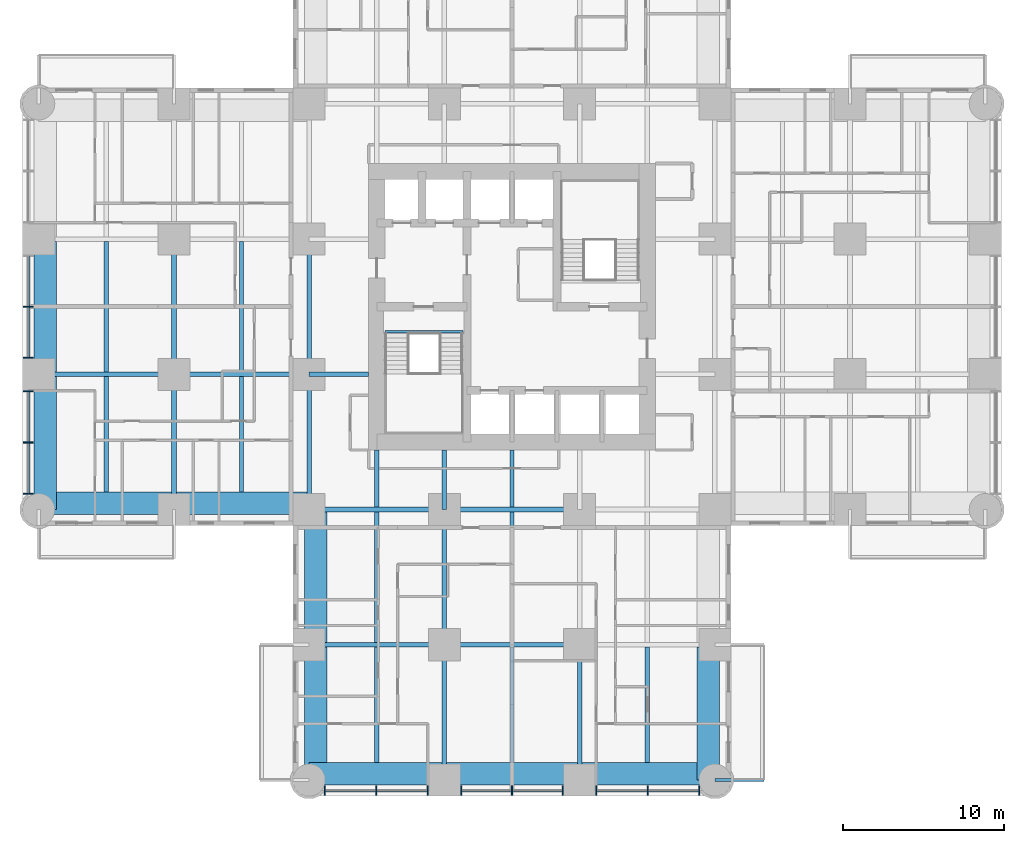
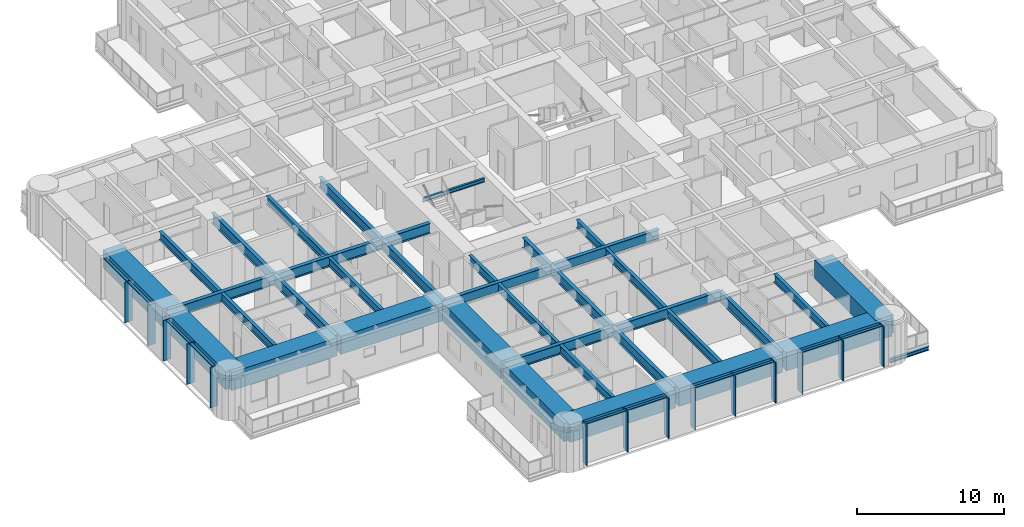
# One storey, part 2 of 17: 38 beams, 24 members, 2 elements without a shape of their own.
"""IFC4 building model written with IfcOpenShell, lengths in metres."""

import ifcopenshell
import ifcopenshell.guid

model = None  # the IFC model being written
_history = None  # IfcOwnerHistory: only IFC2X3 demands one
_inside = {}  # id of a spatial element -> (the spatial element, [elements in it])
_under = {}  # id of a project, library or spatial element -> (it, [spatial elements below it])
_declared = {}  # id of a project -> (the project, [libraries it declares])
_typed = {}  # id of a type object -> (the type object, [elements of that type])
_made_of = {}  # id of a material, layer set ... -> (it, [elements and type objects made of it])


def new_model(schema):
    """Start an empty IFC model of exactly this schema.

    Asked for "IFC4X3", IfcOpenShell would pick the latest addendum, in which some entities
    have other attributes; the version numbers below select the first issue.
    IFC2X3 requires an IfcOwnerHistory on every rooted entity: one is made here for all.
    """
    global model, _history
    if schema == "IFC4X3":
        model = ifcopenshell.file(schema_version=(4, 3, 0, 0))
    else:
        model = ifcopenshell.file(schema=schema)
    _inside.clear()
    _under.clear()
    _declared.clear()
    _typed.clear()
    _made_of.clear()
    _history = None
    if model.schema == "IFC2X3":
        org = make("IfcOrganization", Name="unknown")
        user = make(
            "IfcPersonAndOrganization",
            ThePerson=make("IfcPerson", FamilyName="unknown"),
            TheOrganization=org,
        )
        app = make(
            "IfcApplication",
            ApplicationDeveloper=org,
            Version="unknown",
            ApplicationFullName="unknown",
            ApplicationIdentifier="unknown",
        )
        _history = make(
            "IfcOwnerHistory",
            OwningUser=user,
            OwningApplication=app,
            ChangeAction="ADDED",
            CreationDate=0,
        )
    return model


def make(cls, **values):
    """One entity of the class cls with the attributes given. An attribute that is None is left unset."""
    return model.create_entity(
        cls, **{name: value for name, value in values.items() if value is not None}
    )


def rooted(cls, **values):
    """An entity with a GlobalId (a new one), such as an element, a storey or a relation."""
    return make(cls, GlobalId=ifcopenshell.guid.new(), OwnerHistory=_history, **values)


def si_unit(unit_type, name, prefix=None):
    """IfcSIUnit, for example si_unit("LENGTHUNIT", "METRE", prefix="MILLI")."""
    return make("IfcSIUnit", UnitType=unit_type, Prefix=prefix, Name=name)


def assignment(units):
    """IfcUnitAssignment: the units of a project."""
    return None if units is None else make("IfcUnitAssignment", Units=units)


def point(xyz):
    """IfcCartesianPoint."""
    return None if xyz is None else make("IfcCartesianPoint", Coordinates=xyz)


def direction(xyz):
    """IfcDirection."""
    return None if xyz is None else make("IfcDirection", DirectionRatios=xyz)


def frame(location, z_axis=None, x_axis=None):
    """IfcAxis2Placement3D, a coordinate frame: its origin and axes. An axis left out is left unset."""
    return make(
        "IfcAxis2Placement3D",
        Location=point(location),
        Axis=direction(z_axis),
        RefDirection=direction(x_axis),
    )


def frame_2d(location, x_axis=None):
    """IfcAxis2Placement2D, a coordinate frame in the plane: its origin and x axis."""
    return make(
        "IfcAxis2Placement2D", Location=point(location), RefDirection=direction(x_axis)
    )


def origin():
    """The frame at (0, 0, 0) with its axes left unset."""
    return frame((0.0, 0.0, 0.0))


def origin_2d():
    """The frame at (0, 0) in the plane with its x axis left unset."""
    return frame_2d((0.0, 0.0))


def place(relative_to, where):
    """IfcLocalPlacement: puts the frame where relative to a parent placement (None: the world)."""
    return make(
        "IfcLocalPlacement", PlacementRelTo=relative_to, RelativePlacement=where
    )


def context(
    kind, dimensions, precision=None, world=None, true_north=None, identifier=None
):
    """IfcGeometricRepresentationContext, for example the 3D "Model" context."""
    return make(
        "IfcGeometricRepresentationContext",
        ContextIdentifier=identifier,
        ContextType=kind,
        CoordinateSpaceDimension=dimensions,
        Precision=precision,
        WorldCoordinateSystem=world,
        TrueNorth=true_north,
    )


def subcontext(parent, identifier, kind, view, scale=None):
    """IfcGeometricRepresentationSubContext, for example "Body" below "Model"."""
    return make(
        "IfcGeometricRepresentationSubContext",
        ContextIdentifier=identifier,
        ContextType=kind,
        ParentContext=parent,
        TargetScale=scale,
        TargetView=view,
    )


def project(units=None, contexts=None):
    """IfcProject with its units and contexts."""
    return rooted(
        "IfcProject",
        Name="project",
        RepresentationContexts=contexts,
        UnitsInContext=assignment(units),
    )


def spatial(cls, under=None, at=None, **own):
    """A site, building, storey or space (cls), placed at a placement, below another one or the project."""
    s = rooted(cls, ObjectPlacement=at, **own)
    if under is not None:
        _under.setdefault(under.id(), (under, []))[1].append(s)
    return s


def profile(cls, at=None, kind="AREA", **sizes):
    """A parametric profile (cls). Its sizes go by their IFC names, for example OverallWidth=200.0."""
    return make(cls, ProfileType=kind, Position=at, **sizes)


def rectangle(**sizes):
    """IfcRectangleProfileDef."""
    return profile("IfcRectangleProfileDef", **sizes)


def i_section(**sizes):
    """IfcIShapeProfileDef."""
    return profile("IfcIShapeProfileDef", **sizes)


def extrude(swept, where, along, depth):
    """IfcExtrudedAreaSolid: the profile swept, set in the frame where, extruded along a direction by depth."""
    return make(
        "IfcExtrudedAreaSolid",
        SweptArea=swept,
        Position=where,
        ExtrudedDirection=direction(along),
        Depth=depth,
    )


def shape(context_of_items, identifier, shape_type, items):
    """IfcShapeRepresentation: the items that make up one representation, for example the "Body"."""
    return make(
        "IfcShapeRepresentation",
        ContextOfItems=context_of_items,
        RepresentationIdentifier=identifier,
        RepresentationType=shape_type,
        Items=items,
    )


def material(Name=None, Category=None):
    """IfcMaterial."""
    return make("IfcMaterial", Name=Name, Category=Category)


def material_profile(
    of_material, cross_section, Name=None, Category=None, Priority=None
):
    """IfcMaterialProfile: a cross section and its material."""
    return make(
        "IfcMaterialProfile",
        Name=Name,
        Material=of_material,
        Profile=cross_section,
        Priority=Priority,
        Category=Category,
    )


def profile_set(profiles, Name=None, composite=None):
    """IfcMaterialProfileSet."""
    return make(
        "IfcMaterialProfileSet",
        Name=Name,
        MaterialProfiles=profiles,
        CompositeProfile=composite,
    )


def made_of(thing, what):
    """Note that an element or type object is made of a material, layer set ...; save() writes the relation."""
    if what is not None:
        _made_of.setdefault(what.id(), (what, []))[1].append(thing)
    return thing


def type_object(cls, material=None, **own):
    """A type object (cls), such as IfcWallType, which elements share."""
    return made_of(rooted(cls, **own), material)


def element(
    cls,
    number,
    at=None,
    inside=None,
    cuts=None,
    type_object=None,
    material=None,
    context=None,
    identifier="Body",
    shape_type=None,
    held_by="IfcProductDefinitionShape",
    body=None,
    shapes=None,
    **own,
):
    """One element of the class cls, such as IfcWall. Its Tag is "e" and its number.

    at: its placement. inside: the storey or other place that contains it. cuts: it is an
    opening in that element (IfcRelVoidsElement). A single representation is given by context,
    identifier, shape_type and body (its items); several are given by shapes. held_by: the class
    of the entity that holds the representations. save() writes the other relations.
    """
    e = rooted(cls, Tag="e%d" % number, ObjectPlacement=at, **own)
    if body is not None:
        shapes = [shape(context, identifier, shape_type, body)]
    if shapes is not None:
        e.Representation = make(held_by, Representations=shapes)
    if inside is not None:
        _inside.setdefault(inside.id(), (inside, []))[1].append(e)
    if cuts is not None:
        rooted(
            "IfcRelVoidsElement", RelatingBuildingElement=cuts, RelatedOpeningElement=e
        )
    if type_object is not None:
        _typed.setdefault(type_object.id(), (type_object, []))[1].append(e)
    return made_of(e, material)


def aggregate(whole, parts):
    """IfcRelAggregates: a whole, such as a stair, and the parts it consists of."""
    return rooted("IfcRelAggregates", RelatingObject=whole, RelatedObjects=parts)


def save(model, path):
    """Write the relations noted so far, then the file.

    IfcRelAggregates (storeys below a building ...), IfcRelContainedInSpatialStructure (elements
    in a storey), IfcRelDefinesByType, IfcRelAssociatesMaterial and IfcRelDeclares: one each for
    every whole, place, type object, material and project.
    """
    for whole, parts in _under.values():
        aggregate(whole, parts)
    for where, things in _inside.values():
        rooted(
            "IfcRelContainedInSpatialStructure",
            RelatedElements=things,
            RelatingStructure=where,
        )
    for kind, things in _typed.values():
        rooted("IfcRelDefinesByType", RelatedObjects=things, RelatingType=kind)
    for what, things in _made_of.values():
        rooted("IfcRelAssociatesMaterial", RelatedObjects=things, RelatingMaterial=what)
    for by, libraries in _declared.values():
        rooted("IfcRelDeclares", RelatingContext=by, RelatedDefinitions=libraries)
    model.write(path)


model = new_model("IFC4")

# Units and contexts
model_context = context("Model", 3, precision=1e-05, world=origin(), true_north=direction((0.0, 1.0)))
body_context = subcontext(model_context, "Body", "Model", "MODEL_VIEW")
ifc_project = project(units=[si_unit("LENGTHUNIT", "METRE"), si_unit("AREAUNIT", "SQUARE_METRE"), si_unit("VOLUMEUNIT", "CUBIC_METRE"), si_unit("PLANEANGLEUNIT", "RADIAN"), si_unit("MASSUNIT", "GRAM", prefix="KILO")], contexts=[model_context])

# Site, building, storey
site_placement = place(None, origin())
site = spatial("IfcSite", under=ifc_project, at=site_placement, CompositionType="ELEMENT")
building_placement = place(site_placement, origin())
building = spatial("IfcBuilding", under=site, at=building_placement, Name="Torre Alcanfor", CompositionType="ELEMENT")
storey_placement = place(building_placement, frame((0.0, 0.0, 99.300048828125)))
storey = spatial("IfcBuildingStorey", under=building, at=storey_placement, Name="L25", CompositionType="ELEMENT", Elevation=99.300048828125)

# Beam
ifc_material_1 = material(Name="Steel ASTM A992 Grade 50", Category="steel")
ifc_material_profile_1 = material_profile(ifc_material_1, i_section(OverallWidth=0.205322265625, OverallDepth=0.309814453125, WebThickness=0.00927734375, FlangeThickness=0.016357421875, at=origin_2d()), Name="W12x50")
ifc_profile_set_1 = profile_set([ifc_material_profile_1], Name="Steel ASTM A992 Grade 50")
beam_type_1 = type_object("IfcBeamType", Name="Balcony cantilever beam W12x50", PredefinedType="BEAM", material=ifc_profile_set_1)
beam_1_placement = place(storey_placement, frame((42.0, 0.0, -0.35498046875), z_axis=(1.0, 0.0, 0.0), x_axis=(0.0, 1.0, 0.0)))
element("IfcBeam", 1, at=beam_1_placement, inside=storey, type_object=beam_type_1, Name="Balcony cantilever beam L25-S1 2", PredefinedType="BEAM", context=body_context, shape_type="SweptSolid", body=[
    extrude(i_section(OverallWidth=0.205322265625, OverallDepth=0.309814453125, WebThickness=0.00927734375, FlangeThickness=0.016357421875, at=origin_2d()), origin(), (0.0, 0.0, 1.0), 3.050048828125),
])

# Curtain wall, members
ifc_material_2 = material(Name="Aluminium and glass", Category="aluminium")
curtain_wall_type = type_object("IfcCurtainWallType", Name="CW-A unitised apartment glazing with vertical FIN", PredefinedType="NOTDEFINED", material=ifc_material_2)
curtain_wall_1_placement = place(storey_placement, origin())
curtain_wall_1 = element("IfcCurtainWall", 2, at=curtain_wall_1_placement, inside=storey, type_object=curtain_wall_type, Name="Curtain wall CW-A L25 2", PredefinedType="NOTDEFINED")
ifc_material_3 = material(Name="Bronze anodised aluminium", Category="aluminium")
ifc_material_profile_2 = material_profile(ifc_material_3, rectangle(XDim=0.60009765625, YDim=0.06494140625, at=origin_2d()), Name="CW-A mullion 65x600")
ifc_profile_set_2 = profile_set([ifc_material_profile_2], Name="Bronze anodised aluminium")
member_type_1 = type_object("IfcMemberType", Name="CW-A mullion with vertical FIN 65x600", PredefinedType="MULLION", material=ifc_profile_set_2)
member_1_placement = place(storey_placement, frame((-0.64990234375, 29.39990234375, 0.0), z_axis=(0.0, 0.0, 1.0), x_axis=(1.0, 0.0, 0.0)))
member_1 = element("IfcMember", 3, at=member_1_placement, type_object=member_type_1, Name="CW-A mullion 2.2", PredefinedType="MULLION", context=body_context, shape_type="SweptSolid", body=[
    extrude(rectangle(XDim=0.60009765625, YDim=0.06494140625, at=origin_2d()), origin(), (0.0, 0.0, 1.0), 3.349853515625),
])
member_2_placement = place(storey_placement, frame((-0.64990234375, 26.237548828125, 0.0), z_axis=(0.0, 0.0, 1.0), x_axis=(1.0, 0.0, 0.0)))
member_2 = element("IfcMember", 4, at=member_2_placement, type_object=member_type_1, Name="CW-A mullion 2.3", PredefinedType="MULLION", context=body_context, shape_type="SweptSolid", body=[
    extrude(rectangle(XDim=0.60009765625, YDim=0.06494140625, at=origin_2d()), origin(), (0.0, 0.0, 1.0), 3.349853515625),
])
member_3_placement = place(storey_placement, frame((-0.64990234375, 24.16259765625, 0.0), z_axis=(0.0, 0.0, 1.0), x_axis=(1.0, 0.0, 0.0)))
member_3 = element("IfcMember", 5, at=member_3_placement, type_object=member_type_1, Name="CW-A mullion 3.1", PredefinedType="MULLION", context=body_context, shape_type="SweptSolid", body=[
    extrude(rectangle(XDim=0.60009765625, YDim=0.06494140625, at=origin_2d()), origin(), (0.0, 0.0, 1.0), 3.349853515625),
])
member_4_placement = place(storey_placement, frame((-0.64990234375, 20.968505859375, 0.0), z_axis=(0.0, 0.0, 1.0), x_axis=(1.0, 0.0, 0.0)))
member_4 = element("IfcMember", 6, at=member_4_placement, type_object=member_type_1, Name="CW-A mullion 3.2", PredefinedType="MULLION", context=body_context, shape_type="SweptSolid", body=[
    extrude(rectangle(XDim=0.60009765625, YDim=0.06494140625, at=origin_2d()), origin(), (0.0, 0.0, 1.0), 3.349853515625),
])
member_5_placement = place(storey_placement, frame((-0.64990234375, 17.7744140625, 0.0), z_axis=(0.0, 0.0, 1.0), x_axis=(1.0, 0.0, 0.0)))
member_5 = element("IfcMember", 7, at=member_5_placement, type_object=member_type_1, Name="CW-A mullion 3.3", PredefinedType="MULLION", context=body_context, shape_type="SweptSolid", body=[
    extrude(rectangle(XDim=0.60009765625, YDim=0.06494140625, at=origin_2d()), origin(), (0.0, 0.0, 1.0), 3.349853515625),
])

curtain_wall_2_placement = place(storey_placement, origin())
curtain_wall_2 = element("IfcCurtainWall", 8, at=curtain_wall_2_placement, inside=storey, type_object=curtain_wall_type, Name="Curtain wall CW-A L25 5", PredefinedType="NOTDEFINED")
member_6_placement = place(storey_placement, frame((17.7744140625, -0.64990234375, 0.0), z_axis=(0.0, 0.0, 1.0), x_axis=(0.0, 1.0, 0.0)))
member_6 = element("IfcMember", 9, at=member_6_placement, type_object=member_type_1, Name="CW-A mullion 1.1", PredefinedType="MULLION", context=body_context, shape_type="SweptSolid", body=[
    extrude(rectangle(XDim=0.60009765625, YDim=0.06494140625, at=origin_2d()), origin(), (0.0, 0.0, 1.0), 3.349853515625),
])
member_7_placement = place(storey_placement, frame((20.968505859375, -0.64990234375, 0.0), z_axis=(0.0, 0.0, 1.0), x_axis=(0.0, 1.0, 0.0)))
member_7 = element("IfcMember", 10, at=member_7_placement, type_object=member_type_1, Name="CW-A mullion 1.2", PredefinedType="MULLION", context=body_context, shape_type="SweptSolid", body=[
    extrude(rectangle(XDim=0.60009765625, YDim=0.06494140625, at=origin_2d()), origin(), (0.0, 0.0, 1.0), 3.349853515625),
])
member_8_placement = place(storey_placement, frame((24.16259765625, -0.64990234375, 0.0), z_axis=(0.0, 0.0, 1.0), x_axis=(0.0, 1.0, 0.0)))
member_8 = element("IfcMember", 11, at=member_8_placement, type_object=member_type_1, Name="CW-A mullion 1.3", PredefinedType="MULLION", context=body_context, shape_type="SweptSolid", body=[
    extrude(rectangle(XDim=0.60009765625, YDim=0.06494140625, at=origin_2d()), origin(), (0.0, 0.0, 1.0), 3.349853515625),
])
member_9_placement = place(storey_placement, frame((26.237548828125, -0.64990234375, 0.0), z_axis=(0.0, 0.0, 1.0), x_axis=(0.0, 1.0, 0.0)))
member_9 = element("IfcMember", 12, at=member_9_placement, type_object=member_type_1, Name="CW-A mullion 2.1", PredefinedType="MULLION", context=body_context, shape_type="SweptSolid", body=[
    extrude(rectangle(XDim=0.60009765625, YDim=0.06494140625, at=origin_2d()), origin(), (0.0, 0.0, 1.0), 3.349853515625),
])
member_10_placement = place(storey_placement, frame((29.39990234375, -0.64990234375, 0.0), z_axis=(0.0, 0.0, 1.0), x_axis=(0.0, 1.0, 0.0)))
member_10 = element("IfcMember", 13, at=member_10_placement, type_object=member_type_1, Name="CW-A mullion 2.2", PredefinedType="MULLION", context=body_context, shape_type="SweptSolid", body=[
    extrude(rectangle(XDim=0.60009765625, YDim=0.06494140625, at=origin_2d()), origin(), (0.0, 0.0, 1.0), 3.349853515625),
])
member_11_placement = place(storey_placement, frame((32.5625, -0.64990234375, 0.0), z_axis=(0.0, 0.0, 1.0), x_axis=(0.0, 1.0, 0.0)))
member_11 = element("IfcMember", 14, at=member_11_placement, type_object=member_type_1, Name="CW-A mullion 2.3", PredefinedType="MULLION", context=body_context, shape_type="SweptSolid", body=[
    extrude(rectangle(XDim=0.60009765625, YDim=0.06494140625, at=origin_2d()), origin(), (0.0, 0.0, 1.0), 3.349853515625),
])
member_12_placement = place(storey_placement, frame((34.637451171875, -0.64990234375, 0.0), z_axis=(0.0, 0.0, 1.0), x_axis=(0.0, 1.0, 0.0)))
member_12 = element("IfcMember", 15, at=member_12_placement, type_object=member_type_1, Name="CW-A mullion 3.1", PredefinedType="MULLION", context=body_context, shape_type="SweptSolid", body=[
    extrude(rectangle(XDim=0.60009765625, YDim=0.06494140625, at=origin_2d()), origin(), (0.0, 0.0, 1.0), 3.349853515625),
])
member_13_placement = place(storey_placement, frame((37.83154296875, -0.64990234375, 0.0), z_axis=(0.0, 0.0, 1.0), x_axis=(0.0, 1.0, 0.0)))
member_13 = element("IfcMember", 16, at=member_13_placement, type_object=member_type_1, Name="CW-A mullion 3.2", PredefinedType="MULLION", context=body_context, shape_type="SweptSolid", body=[
    extrude(rectangle(XDim=0.60009765625, YDim=0.06494140625, at=origin_2d()), origin(), (0.0, 0.0, 1.0), 3.349853515625),
])
member_14_placement = place(storey_placement, frame((41.025390625, -0.64990234375, 0.0), z_axis=(0.0, 0.0, 1.0), x_axis=(0.0, 1.0, 0.0)))
member_14 = element("IfcMember", 17, at=member_14_placement, type_object=member_type_1, Name="CW-A mullion 3.3", PredefinedType="MULLION", context=body_context, shape_type="SweptSolid", body=[
    extrude(rectangle(XDim=0.60009765625, YDim=0.06494140625, at=origin_2d()), origin(), (0.0, 0.0, 1.0), 3.349853515625),
])

# Member
ifc_material_4 = material(Name="Extruded aluminium", Category="aluminium")
ifc_material_profile_3 = material_profile(ifc_material_4, rectangle(XDim=0.199951171875, YDim=0.06494140625, at=origin_2d()), Name="CW-A transom 200x65")
ifc_profile_set_3 = profile_set([ifc_material_profile_3], Name="Extruded aluminium")
member_type_2 = type_object("IfcMemberType", Name="CW-A transom 65x200", PredefinedType="USERDEFINED", material=ifc_profile_set_3)
member_15_placement = place(storey_placement, frame((-0.64990234375, 32.530029296875, 3.3173828125), z_axis=(0.0, -1.0, 0.0), x_axis=(1.0, 0.0, 0.0)))
member_15 = element("IfcMember", 18, at=member_15_placement, type_object=member_type_2, Name="CW-A transom 2.1.2", ObjectType="TRANSOM", PredefinedType="USERDEFINED", context=body_context, shape_type="SweptSolid", body=[
    extrude(rectangle(XDim=0.199951171875, YDim=0.06494140625, at=origin_2d()), origin(), (0.0, 0.0, 1.0), 3.097412109375),
])

member_16_placement = place(storey_placement, frame((-0.64990234375, 29.367431640625, 3.3173828125), z_axis=(0.0, -1.0, 0.0), x_axis=(1.0, 0.0, 0.0)))
member_16 = element("IfcMember", 19, at=member_16_placement, type_object=member_type_2, Name="CW-A transom 2.2.2", ObjectType="TRANSOM", PredefinedType="USERDEFINED", context=body_context, shape_type="SweptSolid", body=[
    extrude(rectangle(XDim=0.199951171875, YDim=0.06494140625, at=origin_2d()), origin(), (0.0, 0.0, 1.0), 3.097412109375),
])

member_17_placement = place(storey_placement, frame((-0.64990234375, 24.1298828125, 3.3173828125), z_axis=(0.0, -1.0, 0.0), x_axis=(1.0, 0.0, 0.0)))
member_17 = element("IfcMember", 20, at=member_17_placement, type_object=member_type_2, Name="CW-A transom 3.1.2", ObjectType="TRANSOM", PredefinedType="USERDEFINED", context=body_context, shape_type="SweptSolid", body=[
    extrude(rectangle(XDim=0.199951171875, YDim=0.06494140625, at=origin_2d()), origin(), (0.0, 0.0, 1.0), 3.12890625),
])

member_18_placement = place(storey_placement, frame((-0.64990234375, 20.93603515625, 3.3173828125), z_axis=(0.0, -1.0, 0.0), x_axis=(1.0, 0.0, 0.0)))
member_18 = element("IfcMember", 21, at=member_18_placement, type_object=member_type_2, Name="CW-A transom 3.2.2", ObjectType="TRANSOM", PredefinedType="USERDEFINED", context=body_context, shape_type="SweptSolid", body=[
    extrude(rectangle(XDim=0.199951171875, YDim=0.06494140625, at=origin_2d()), origin(), (0.0, 0.0, 1.0), 3.129150390625),
])

aggregate(curtain_wall_1, [member_1, member_2, member_15, member_16, member_3, member_4, member_5, member_17, member_18])

member_19_placement = place(storey_placement, frame((17.806884765625, -0.64990234375, 3.3173828125), z_axis=(1.0, 0.0, 0.0), x_axis=(0.0, 1.0, 0.0)))
member_19 = element("IfcMember", 22, at=member_19_placement, type_object=member_type_2, Name="CW-A transom 1.1.2", ObjectType="TRANSOM", PredefinedType="USERDEFINED", context=body_context, shape_type="SweptSolid", body=[
    extrude(rectangle(XDim=0.199951171875, YDim=0.06494140625, at=origin_2d()), origin(), (0.0, 0.0, 1.0), 3.129150390625),
])

member_20_placement = place(storey_placement, frame((21.0009765625, -0.64990234375, 3.3173828125), z_axis=(1.0, 0.0, 0.0), x_axis=(0.0, 1.0, 0.0)))
member_20 = element("IfcMember", 23, at=member_20_placement, type_object=member_type_2, Name="CW-A transom 1.2.2", ObjectType="TRANSOM", PredefinedType="USERDEFINED", context=body_context, shape_type="SweptSolid", body=[
    extrude(rectangle(XDim=0.199951171875, YDim=0.06494140625, at=origin_2d()), origin(), (0.0, 0.0, 1.0), 3.12890625),
])

member_21_placement = place(storey_placement, frame((26.27001953125, -0.64990234375, 3.3173828125), z_axis=(1.0, 0.0, 0.0), x_axis=(0.0, 1.0, 0.0)))
member_21 = element("IfcMember", 24, at=member_21_placement, type_object=member_type_2, Name="CW-A transom 2.1.2", ObjectType="TRANSOM", PredefinedType="USERDEFINED", context=body_context, shape_type="SweptSolid", body=[
    extrude(rectangle(XDim=0.199951171875, YDim=0.06494140625, at=origin_2d()), origin(), (0.0, 0.0, 1.0), 3.097412109375),
])

member_22_placement = place(storey_placement, frame((29.4326171875, -0.64990234375, 3.3173828125), z_axis=(1.0, 0.0, 0.0), x_axis=(0.0, 1.0, 0.0)))
member_22 = element("IfcMember", 25, at=member_22_placement, type_object=member_type_2, Name="CW-A transom 2.2.2", ObjectType="TRANSOM", PredefinedType="USERDEFINED", context=body_context, shape_type="SweptSolid", body=[
    extrude(rectangle(XDim=0.199951171875, YDim=0.06494140625, at=origin_2d()), origin(), (0.0, 0.0, 1.0), 3.097412109375),
])

member_23_placement = place(storey_placement, frame((34.669921875, -0.64990234375, 3.3173828125), z_axis=(1.0, 0.0, 0.0), x_axis=(0.0, 1.0, 0.0)))
member_23 = element("IfcMember", 26, at=member_23_placement, type_object=member_type_2, Name="CW-A transom 3.1.2", ObjectType="TRANSOM", PredefinedType="USERDEFINED", context=body_context, shape_type="SweptSolid", body=[
    extrude(rectangle(XDim=0.199951171875, YDim=0.06494140625, at=origin_2d()), origin(), (0.0, 0.0, 1.0), 3.129150390625),
])

member_24_placement = place(storey_placement, frame((37.864013671875, -0.64990234375, 3.3173828125), z_axis=(1.0, 0.0, 0.0), x_axis=(0.0, 1.0, 0.0)))
member_24 = element("IfcMember", 27, at=member_24_placement, type_object=member_type_2, Name="CW-A transom 3.2.2", ObjectType="TRANSOM", PredefinedType="USERDEFINED", context=body_context, shape_type="SweptSolid", body=[
    extrude(rectangle(XDim=0.199951171875, YDim=0.06494140625, at=origin_2d()), origin(), (0.0, 0.0, 1.0), 3.12890625),
])

aggregate(curtain_wall_2, [member_6, member_7, member_8, member_19, member_20, member_9, member_10, member_11, member_21, member_22, member_12, member_13, member_14, member_23, member_24])

# Beams
ifc_material_5 = material(Name="Steel ASTM A992 Grade 50", Category="steel")
ifc_material_profile_4 = material_profile(ifc_material_5, i_section(OverallWidth=0.2919921875, OverallDepth=0.8408203125, WebThickness=0.0146484375, FlangeThickness=0.021728515625, at=origin_2d()), Name="W33x130")
ifc_profile_set_4 = profile_set([ifc_material_profile_4], Name="Steel ASTM A992 Grade 50")
beam_type_2 = type_object("IfcBeamType", Name="Girder W33x130", PredefinedType="BEAM", material=ifc_profile_set_4)
beam_2_placement = place(storey_placement, frame((16.800048828125, 8.39990234375, 2.9296875), z_axis=(1.0, 0.0, 0.0), x_axis=(0.0, 1.0, 0.0)))
element("IfcBeam", 28, at=beam_2_placement, inside=storey, type_object=beam_type_2, Name="Beam 3D-4D under L26", PredefinedType="BEAM", context=body_context, shape_type="SweptSolid", body=[
    extrude(i_section(OverallWidth=0.2919921875, OverallDepth=0.8408203125, WebThickness=0.0146484375, FlangeThickness=0.021728515625, at=origin_2d()), origin(), (0.0, 0.0, 1.0), 8.39990234375),
])
beam_3_placement = place(storey_placement, frame((25.199951171875, 8.39990234375, 2.9296875), z_axis=(1.0, 0.0, 0.0), x_axis=(0.0, 1.0, 0.0)))
element("IfcBeam", 29, at=beam_3_placement, inside=storey, type_object=beam_type_2, Name="Beam 4D-5D under L26", PredefinedType="BEAM", context=body_context, shape_type="SweptSolid", body=[
    extrude(i_section(OverallWidth=0.2919921875, OverallDepth=0.8408203125, WebThickness=0.0146484375, FlangeThickness=0.021728515625, at=origin_2d()), origin(), (0.0, 0.0, 1.0), 8.400146484375),
])
beam_4_placement = place(storey_placement, frame((16.800048828125, 16.800048828125, 2.9296875), z_axis=(1.0, 0.0, 0.0), x_axis=(0.0, 1.0, 0.0)))
element("IfcBeam", 30, at=beam_4_placement, inside=storey, type_object=beam_type_2, Name="Beam 3E-4E under L26", PredefinedType="BEAM", context=body_context, shape_type="SweptSolid", body=[
    extrude(i_section(OverallWidth=0.2919921875, OverallDepth=0.8408203125, WebThickness=0.0146484375, FlangeThickness=0.021728515625, at=origin_2d()), origin(), (0.0, 0.0, 1.0), 8.39990234375),
])
beam_5_placement = place(storey_placement, frame((25.199951171875, 16.800048828125, 2.9296875), z_axis=(1.0, 0.0, 0.0), x_axis=(0.0, 1.0, 0.0)))
element("IfcBeam", 31, at=beam_5_placement, inside=storey, type_object=beam_type_2, Name="Beam 4E-5E under L26", PredefinedType="BEAM", context=body_context, shape_type="SweptSolid", body=[
    extrude(i_section(OverallWidth=0.2919921875, OverallDepth=0.8408203125, WebThickness=0.0146484375, FlangeThickness=0.021728515625, at=origin_2d()), origin(), (0.0, 0.0, 1.0), 8.400146484375),
])
beam_6_placement = place(storey_placement, frame((0.0, 25.199951171875, 2.9296875), z_axis=(1.0, 0.0, 0.0), x_axis=(0.0, 1.0, 0.0)))
element("IfcBeam", 32, at=beam_6_placement, inside=storey, type_object=beam_type_2, Name="Beam 1F-2F under L26", PredefinedType="BEAM", context=body_context, shape_type="SweptSolid", body=[
    extrude(i_section(OverallWidth=0.2919921875, OverallDepth=0.8408203125, WebThickness=0.0146484375, FlangeThickness=0.021728515625, at=origin_2d()), origin(), (0.0, 0.0, 1.0), 8.39990234375),
])
beam_7_placement = place(storey_placement, frame((8.39990234375, 25.199951171875, 2.9296875), z_axis=(1.0, 0.0, 0.0), x_axis=(0.0, 1.0, 0.0)))
element("IfcBeam", 33, at=beam_7_placement, inside=storey, type_object=beam_type_2, Name="Beam 2F-3F under L26", PredefinedType="BEAM", context=body_context, shape_type="SweptSolid", body=[
    extrude(i_section(OverallWidth=0.2919921875, OverallDepth=0.8408203125, WebThickness=0.0146484375, FlangeThickness=0.021728515625, at=origin_2d()), origin(), (0.0, 0.0, 1.0), 8.400146484375),
])
beam_8_placement = place(storey_placement, frame((8.39990234375, 16.800048828125, 2.9296875), z_axis=(0.0, 1.0, 0.0), x_axis=(-1.0, 0.0, 0.0)))
element("IfcBeam", 34, at=beam_8_placement, inside=storey, type_object=beam_type_2, Name="Beam 2E-2F under L26", PredefinedType="BEAM", context=body_context, shape_type="SweptSolid", body=[
    extrude(i_section(OverallWidth=0.2919921875, OverallDepth=0.8408203125, WebThickness=0.0146484375, FlangeThickness=0.021728515625, at=origin_2d()), origin(), (0.0, 0.0, 1.0), 8.39990234375),
])
beam_9_placement = place(storey_placement, frame((8.39990234375, 25.199951171875, 2.9296875), z_axis=(0.0, 1.0, 0.0), x_axis=(-1.0, 0.0, 0.0)))
element("IfcBeam", 35, at=beam_9_placement, inside=storey, type_object=beam_type_2, Name="Beam 2F-2G under L26", PredefinedType="BEAM", context=body_context, shape_type="SweptSolid", body=[
    extrude(i_section(OverallWidth=0.2919921875, OverallDepth=0.8408203125, WebThickness=0.0146484375, FlangeThickness=0.021728515625, at=origin_2d()), origin(), (0.0, 0.0, 1.0), 8.400146484375),
])
beam_10_placement = place(storey_placement, frame((16.800048828125, 16.800048828125, 2.9296875), z_axis=(0.0, 1.0, 0.0), x_axis=(-1.0, 0.0, 0.0)))
element("IfcBeam", 36, at=beam_10_placement, inside=storey, type_object=beam_type_2, Name="Beam 3E-3F under L26", PredefinedType="BEAM", context=body_context, shape_type="SweptSolid", body=[
    extrude(i_section(OverallWidth=0.2919921875, OverallDepth=0.8408203125, WebThickness=0.0146484375, FlangeThickness=0.021728515625, at=origin_2d()), origin(), (0.0, 0.0, 1.0), 8.39990234375),
])
beam_11_placement = place(storey_placement, frame((16.800048828125, 25.199951171875, 2.9296875), z_axis=(0.0, 1.0, 0.0), x_axis=(-1.0, 0.0, 0.0)))
element("IfcBeam", 37, at=beam_11_placement, inside=storey, type_object=beam_type_2, Name="Beam 3F-3G under L26", PredefinedType="BEAM", context=body_context, shape_type="SweptSolid", body=[
    extrude(i_section(OverallWidth=0.2919921875, OverallDepth=0.8408203125, WebThickness=0.0146484375, FlangeThickness=0.021728515625, at=origin_2d()), origin(), (0.0, 0.0, 1.0), 8.400146484375),
])
beam_12_placement = place(storey_placement, frame((25.199951171875, 0.0, 2.9296875), z_axis=(0.0, 1.0, 0.0), x_axis=(-1.0, 0.0, 0.0)))
element("IfcBeam", 38, at=beam_12_placement, inside=storey, type_object=beam_type_2, Name="Beam 4C-4D under L26", PredefinedType="BEAM", context=body_context, shape_type="SweptSolid", body=[
    extrude(i_section(OverallWidth=0.2919921875, OverallDepth=0.8408203125, WebThickness=0.0146484375, FlangeThickness=0.021728515625, at=origin_2d()), origin(), (0.0, 0.0, 1.0), 8.39990234375),
])
beam_13_placement = place(storey_placement, frame((25.199951171875, 8.39990234375, 2.9296875), z_axis=(0.0, 1.0, 0.0), x_axis=(-1.0, 0.0, 0.0)))
element("IfcBeam", 39, at=beam_13_placement, inside=storey, type_object=beam_type_2, Name="Beam 4D-4E under L26", PredefinedType="BEAM", context=body_context, shape_type="SweptSolid", body=[
    extrude(i_section(OverallWidth=0.2919921875, OverallDepth=0.8408203125, WebThickness=0.0146484375, FlangeThickness=0.021728515625, at=origin_2d()), origin(), (0.0, 0.0, 1.0), 8.400146484375),
])
beam_14_placement = place(storey_placement, frame((33.60009765625, 0.0, 2.9296875), z_axis=(0.0, 1.0, 0.0), x_axis=(-1.0, 0.0, 0.0)))
element("IfcBeam", 40, at=beam_14_placement, inside=storey, type_object=beam_type_2, Name="Beam 5C-5D under L26", PredefinedType="BEAM", context=body_context, shape_type="SweptSolid", body=[
    extrude(i_section(OverallWidth=0.2919921875, OverallDepth=0.8408203125, WebThickness=0.0146484375, FlangeThickness=0.021728515625, at=origin_2d()), origin(), (0.0, 0.0, 1.0), 8.39990234375),
])
ifc_material_6 = material(Name="Steel ASTM A992 Grade 50", Category="steel")
ifc_material_profile_5 = material_profile(ifc_material_6, i_section(OverallWidth=0.2919921875, OverallDepth=0.8408203125, WebThickness=0.0146484375, FlangeThickness=0.021728515625, at=origin_2d()), Name="W33x130")
ifc_profile_set_5 = profile_set([ifc_material_profile_5], Name="Steel ASTM A992 Grade 50")
beam_type_3 = type_object("IfcBeamType", Name="Girder, part bay W33x130", PredefinedType="BEAM", material=ifc_profile_set_5)
for number, where, z_axis, x_axis, name in (
    (41, (25.199951171875, 16.800048828125, 2.9296875), (0.0, 1.0, 0.0), (-1.0, 0.0, 0.0), "Beam 4E-420_5 under L26"),
    (42, (16.800048828125, 25.199951171875, 2.9296875), (1.0, 0.0, 0.0), (0.0, 1.0, 0.0), "Beam 3F-20_5F under L26"),
):
    element("IfcBeam", number, at=place(storey_placement, frame(where, z_axis=z_axis, x_axis=x_axis)), inside=storey, type_object=beam_type_3, Name=name, PredefinedType="BEAM", context=body_context, shape_type="SweptSolid", body=[
        extrude(i_section(OverallWidth=0.2919921875, OverallDepth=0.8408203125, WebThickness=0.0146484375, FlangeThickness=0.021728515625, at=origin_2d()), origin(), (0.0, 0.0, 1.0), 3.699951171875),
    ])
ifc_material_7 = material(Name="Concrete f'c 70 MPa", Category="concrete")
ifc_material_profile_6 = material_profile(ifc_material_7, rectangle(XDim=1.39990234375, YDim=1.5, at=origin_2d()), Name="1400x1500")
ifc_profile_set_6 = profile_set([ifc_material_profile_6], Name="Concrete f'c 70 MPa")
beam_type_4 = type_object("IfcBeamType", Name="RC perimeter beam 1400x1500", PredefinedType="BEAM", material=ifc_profile_set_6)
beam_15_placement = place(storey_placement, frame((16.800048828125, 0.39990234375, 2.599853515625), z_axis=(1.0, 0.0, 0.0), x_axis=(0.0, 1.0, 0.0)))
element("IfcBeam", 43, at=beam_15_placement, inside=storey, type_object=beam_type_4, Name="Beam 3C-4C under L26", PredefinedType="BEAM", context=body_context, shape_type="SweptSolid", body=[
    extrude(rectangle(XDim=1.39990234375, YDim=1.5, at=origin_2d()), origin(), (0.0, 0.0, 1.0), 8.25390625),
])
beam_16_placement = place(storey_placement, frame((25.345947265625, 0.39990234375, 2.599853515625), z_axis=(1.0, 0.0, 0.0), x_axis=(0.0, 1.0, 0.0)))
element("IfcBeam", 44, at=beam_16_placement, inside=storey, type_object=beam_type_4, Name="Beam 4C-5C under L26", PredefinedType="BEAM", context=body_context, shape_type="SweptSolid", body=[
    extrude(rectangle(XDim=1.39990234375, YDim=1.5, at=origin_2d()), origin(), (0.0, 0.0, 1.0), 8.108154296875),
])
for number, where, z_axis, x_axis, name in (
    (45, (33.74609375, 0.39990234375, 2.599853515625), (1.0, 0.0, 0.0), (0.0, 1.0, 0.0), "Beam 5C-6C under L26"),
    (46, (0.0, 17.199951171875, 2.599853515625), (1.0, 0.0, 0.0), (0.0, 1.0, 0.0), "Beam 1E-2E under L26"),
):
    element("IfcBeam", number, at=place(storey_placement, frame(where, z_axis=z_axis, x_axis=x_axis)), inside=storey, type_object=beam_type_4, Name=name, PredefinedType="BEAM", context=body_context, shape_type="SweptSolid", body=[
        extrude(rectangle(XDim=1.39990234375, YDim=1.5, at=origin_2d()), origin(), (0.0, 0.0, 1.0), 8.25390625),
    ])
beam_17_placement = place(storey_placement, frame((8.5458984375, 17.199951171875, 2.599853515625), z_axis=(1.0, 0.0, 0.0), x_axis=(0.0, 1.0, 0.0)))
element("IfcBeam", 47, at=beam_17_placement, inside=storey, type_object=beam_type_4, Name="Beam 2E-3E under L26", PredefinedType="BEAM", context=body_context, shape_type="SweptSolid", body=[
    extrude(rectangle(XDim=1.39990234375, YDim=1.5, at=origin_2d()), origin(), (0.0, 0.0, 1.0), 8.400146484375),
])
beam_18_placement = place(storey_placement, frame((0.39990234375, 16.800048828125, 2.599853515625), z_axis=(0.0, 1.0, 0.0), x_axis=(-1.0, 0.0, 0.0)))
element("IfcBeam", 48, at=beam_18_placement, inside=storey, type_object=beam_type_4, Name="Beam 1E-1F under L26", PredefinedType="BEAM", context=body_context, shape_type="SweptSolid", body=[
    extrude(rectangle(XDim=1.39990234375, YDim=1.5, at=origin_2d()), origin(), (0.0, 0.0, 1.0), 8.25390625),
])
beam_19_placement = place(storey_placement, frame((0.39990234375, 25.345947265625, 2.599853515625), z_axis=(0.0, 1.0, 0.0), x_axis=(-1.0, 0.0, 0.0)))
element("IfcBeam", 49, at=beam_19_placement, inside=storey, type_object=beam_type_4, Name="Beam 1F-1G under L26", PredefinedType="BEAM", context=body_context, shape_type="SweptSolid", body=[
    extrude(rectangle(XDim=1.39990234375, YDim=1.5, at=origin_2d()), origin(), (0.0, 0.0, 1.0), 8.108154296875),
])
beam_20_placement = place(storey_placement, frame((17.199951171875, 0.0, 2.599853515625), z_axis=(0.0, 1.0, 0.0), x_axis=(-1.0, 0.0, 0.0)))
element("IfcBeam", 50, at=beam_20_placement, inside=storey, type_object=beam_type_4, Name="Beam 3C-3D under L26", PredefinedType="BEAM", context=body_context, shape_type="SweptSolid", body=[
    extrude(rectangle(XDim=1.39990234375, YDim=1.5, at=origin_2d()), origin(), (0.0, 0.0, 1.0), 8.25390625),
])
beam_21_placement = place(storey_placement, frame((17.199951171875, 8.5458984375, 2.599853515625), z_axis=(0.0, 1.0, 0.0), x_axis=(-1.0, 0.0, 0.0)))
element("IfcBeam", 51, at=beam_21_placement, inside=storey, type_object=beam_type_4, Name="Beam 3D-3E under L26", PredefinedType="BEAM", context=body_context, shape_type="SweptSolid", body=[
    extrude(rectangle(XDim=1.39990234375, YDim=1.5, at=origin_2d()), origin(), (0.0, 0.0, 1.0), 8.108154296875),
])
beam_22_placement = place(storey_placement, frame((41.60009765625, 0.0, 2.599853515625), z_axis=(0.0, 1.0, 0.0), x_axis=(-1.0, 0.0, 0.0)))
element("IfcBeam", 52, at=beam_22_placement, inside=storey, type_object=beam_type_4, Name="Beam 6C-6D under L26", PredefinedType="BEAM", context=body_context, shape_type="SweptSolid", body=[
    extrude(rectangle(XDim=1.39990234375, YDim=1.5, at=origin_2d()), origin(), (0.0, 0.0, 1.0), 8.25390625),
])
ifc_material_8 = material(Name="Steel ASTM A992 Grade 50", Category="steel")
ifc_material_profile_7 = material_profile(ifc_material_8, i_section(OverallWidth=0.25390625, OverallDepth=0.683349609375, WebThickness=0.012451171875, FlangeThickness=0.01904296875, at=origin_2d()), Name="W27x94")
ifc_profile_set_7 = profile_set([ifc_material_profile_7], Name="Steel ASTM A992 Grade 50")
beam_type_5 = type_object("IfcBeamType", Name="Secondary beam W27x94", PredefinedType="BEAM", material=ifc_profile_set_7)
beam_23_placement = place(storey_placement, frame((4.199951171875, 17.89990234375, 3.00830078125), z_axis=(0.0, 1.0, 0.0), x_axis=(-1.0, 0.0, 0.0)))
element("IfcBeam", 53, at=beam_23_placement, inside=storey, type_object=beam_type_5, Name="Beam 4_2E-4_2F under L26", PredefinedType="BEAM", context=body_context, shape_type="SweptSolid", body=[
    extrude(i_section(OverallWidth=0.25390625, OverallDepth=0.683349609375, WebThickness=0.012451171875, FlangeThickness=0.01904296875, at=origin_2d()), origin(), (0.0, 0.0, 1.0), 7.154052734375),
])
beam_24_placement = place(storey_placement, frame((4.199951171875, 25.345947265625, 3.00830078125), z_axis=(0.0, 1.0, 0.0), x_axis=(-1.0, 0.0, 0.0)))
element("IfcBeam", 54, at=beam_24_placement, inside=storey, type_object=beam_type_5, Name="Beam 4_2F-4_2G under L26", PredefinedType="BEAM", context=body_context, shape_type="SweptSolid", body=[
    extrude(i_section(OverallWidth=0.25390625, OverallDepth=0.683349609375, WebThickness=0.012451171875, FlangeThickness=0.01904296875, at=origin_2d()), origin(), (0.0, 0.0, 1.0), 8.108154296875),
])
beam_25_placement = place(storey_placement, frame((12.60009765625, 17.89990234375, 3.00830078125), z_axis=(0.0, 1.0, 0.0), x_axis=(-1.0, 0.0, 0.0)))
element("IfcBeam", 55, at=beam_25_placement, inside=storey, type_object=beam_type_5, Name="Beam 12_6E-12_6F under L26", PredefinedType="BEAM", context=body_context, shape_type="SweptSolid", body=[
    extrude(i_section(OverallWidth=0.25390625, OverallDepth=0.683349609375, WebThickness=0.012451171875, FlangeThickness=0.01904296875, at=origin_2d()), origin(), (0.0, 0.0, 1.0), 7.154052734375),
])
beam_26_placement = place(storey_placement, frame((12.60009765625, 25.345947265625, 3.00830078125), z_axis=(0.0, 1.0, 0.0), x_axis=(-1.0, 0.0, 0.0)))
element("IfcBeam", 56, at=beam_26_placement, inside=storey, type_object=beam_type_5, Name="Beam 12_6F-12_6G under L26", PredefinedType="BEAM", context=body_context, shape_type="SweptSolid", body=[
    extrude(i_section(OverallWidth=0.25390625, OverallDepth=0.683349609375, WebThickness=0.012451171875, FlangeThickness=0.01904296875, at=origin_2d()), origin(), (0.0, 0.0, 1.0), 8.108154296875),
])
beam_27_placement = place(storey_placement, frame((21.0, 1.10009765625, 3.00830078125), z_axis=(0.0, 1.0, 0.0), x_axis=(-1.0, 0.0, 0.0)))
element("IfcBeam", 57, at=beam_27_placement, inside=storey, type_object=beam_type_5, Name="Beam 21C-21D under L26", PredefinedType="BEAM", context=body_context, shape_type="SweptSolid", body=[
    extrude(i_section(OverallWidth=0.25390625, OverallDepth=0.683349609375, WebThickness=0.012451171875, FlangeThickness=0.01904296875, at=origin_2d()), origin(), (0.0, 0.0, 1.0), 7.15380859375),
])
beam_28_placement = place(storey_placement, frame((21.0, 8.5458984375, 3.00830078125), z_axis=(0.0, 1.0, 0.0), x_axis=(-1.0, 0.0, 0.0)))
element("IfcBeam", 58, at=beam_28_placement, inside=storey, type_object=beam_type_5, Name="Beam 21D-21E under L26", PredefinedType="BEAM", context=body_context, shape_type="SweptSolid", body=[
    extrude(i_section(OverallWidth=0.25390625, OverallDepth=0.683349609375, WebThickness=0.012451171875, FlangeThickness=0.01904296875, at=origin_2d()), origin(), (0.0, 0.0, 1.0), 8.108154296875),
])
beam_29_placement = place(storey_placement, frame((29.39990234375, 1.10009765625, 3.00830078125), z_axis=(0.0, 1.0, 0.0), x_axis=(-1.0, 0.0, 0.0)))
element("IfcBeam", 59, at=beam_29_placement, inside=storey, type_object=beam_type_5, Name="Beam 29_4C-29_4D under L26", PredefinedType="BEAM", context=body_context, shape_type="SweptSolid", body=[
    extrude(i_section(OverallWidth=0.25390625, OverallDepth=0.683349609375, WebThickness=0.012451171875, FlangeThickness=0.01904296875, at=origin_2d()), origin(), (0.0, 0.0, 1.0), 7.15380859375),
])
beam_30_placement = place(storey_placement, frame((29.39990234375, 8.5458984375, 3.00830078125), z_axis=(0.0, 1.0, 0.0), x_axis=(-1.0, 0.0, 0.0)))
element("IfcBeam", 60, at=beam_30_placement, inside=storey, type_object=beam_type_5, Name="Beam 29_4D-29_4E under L26", PredefinedType="BEAM", context=body_context, shape_type="SweptSolid", body=[
    extrude(i_section(OverallWidth=0.25390625, OverallDepth=0.683349609375, WebThickness=0.012451171875, FlangeThickness=0.01904296875, at=origin_2d()), origin(), (0.0, 0.0, 1.0), 8.108154296875),
])
beam_31_placement = place(storey_placement, frame((37.800048828125, 1.10009765625, 3.00830078125), z_axis=(0.0, 1.0, 0.0), x_axis=(-1.0, 0.0, 0.0)))
element("IfcBeam", 61, at=beam_31_placement, inside=storey, type_object=beam_type_5, Name="Beam 37_8C-37_8D under L26", PredefinedType="BEAM", context=body_context, shape_type="SweptSolid", body=[
    extrude(i_section(OverallWidth=0.25390625, OverallDepth=0.683349609375, WebThickness=0.012451171875, FlangeThickness=0.01904296875, at=origin_2d()), origin(), (0.0, 0.0, 1.0), 7.15380859375),
])
ifc_material_9 = material(Name="Steel ASTM A992 Grade 50", Category="steel")
ifc_material_profile_8 = material_profile(ifc_material_9, i_section(OverallWidth=0.25390625, OverallDepth=0.683349609375, WebThickness=0.012451171875, FlangeThickness=0.01904296875, at=origin_2d()), Name="W27x94")
ifc_profile_set_8 = profile_set([ifc_material_profile_8], Name="Steel ASTM A992 Grade 50")
beam_type_6 = type_object("IfcBeamType", Name="Secondary beam, part bay W27x94", PredefinedType="BEAM", material=ifc_profile_set_8)
for number, where, z_axis, x_axis, name in (
    (62, (21.0, 16.946044921875, 3.00830078125), (0.0, 1.0, 0.0), (-1.0, 0.0, 0.0), "Beam 21E-2120_5 under L26"),
    (63, (29.39990234375, 16.946044921875, 3.00830078125), (0.0, 1.0, 0.0), (-1.0, 0.0, 0.0), "Beam 29_4E-29_420_5 under L26"),
):
    element("IfcBeam", number, at=place(storey_placement, frame(where, z_axis=z_axis, x_axis=x_axis)), inside=storey, type_object=beam_type_6, Name=name, PredefinedType="BEAM", context=body_context, shape_type="SweptSolid", body=[
        extrude(i_section(OverallWidth=0.25390625, OverallDepth=0.683349609375, WebThickness=0.012451171875, FlangeThickness=0.01904296875, at=origin_2d()), origin(), (0.0, 0.0, 1.0), 3.553955078125),
    ])
ifc_material_10 = material(Name="Steel ASTM A992 Grade 50", Category="steel")
ifc_material_profile_9 = material_profile(ifc_material_10, i_section(OverallWidth=0.164794921875, OverallDepth=0.309814453125, WebThickness=0.005859375, FlangeThickness=0.009765625, at=origin_2d()), Name="W12x26")
ifc_profile_set_9 = profile_set([ifc_material_profile_9], Name="Steel ASTM A992 Grade 50")
beam_type_7 = type_object("IfcBeamType", Name="Stair landing beam W12x26", PredefinedType="BEAM", material=ifc_profile_set_9)
beam_32_placement = place(storey_placement, frame((21.5, 27.83740234375, 3.2451171875), z_axis=(1.0, 0.0, 0.0), x_axis=(0.0, 1.0, 0.0)))
element("IfcBeam", 64, at=beam_32_placement, inside=storey, type_object=beam_type_7, Name="Landing trimmer S1 L26", PredefinedType="BEAM", context=body_context, shape_type="SweptSolid", body=[
    extrude(i_section(OverallWidth=0.164794921875, OverallDepth=0.309814453125, WebThickness=0.005859375, FlangeThickness=0.009765625, at=origin_2d()), origin(), (0.0, 0.0, 1.0), 4.85009765625),
])

save(model, "model.ifc")
